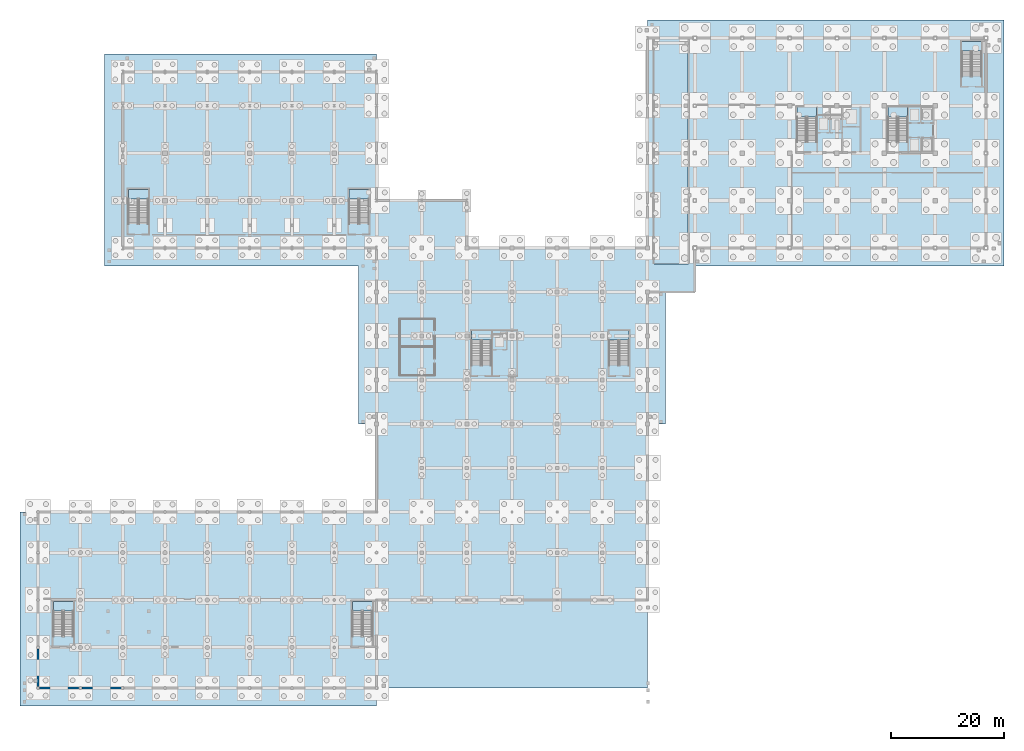
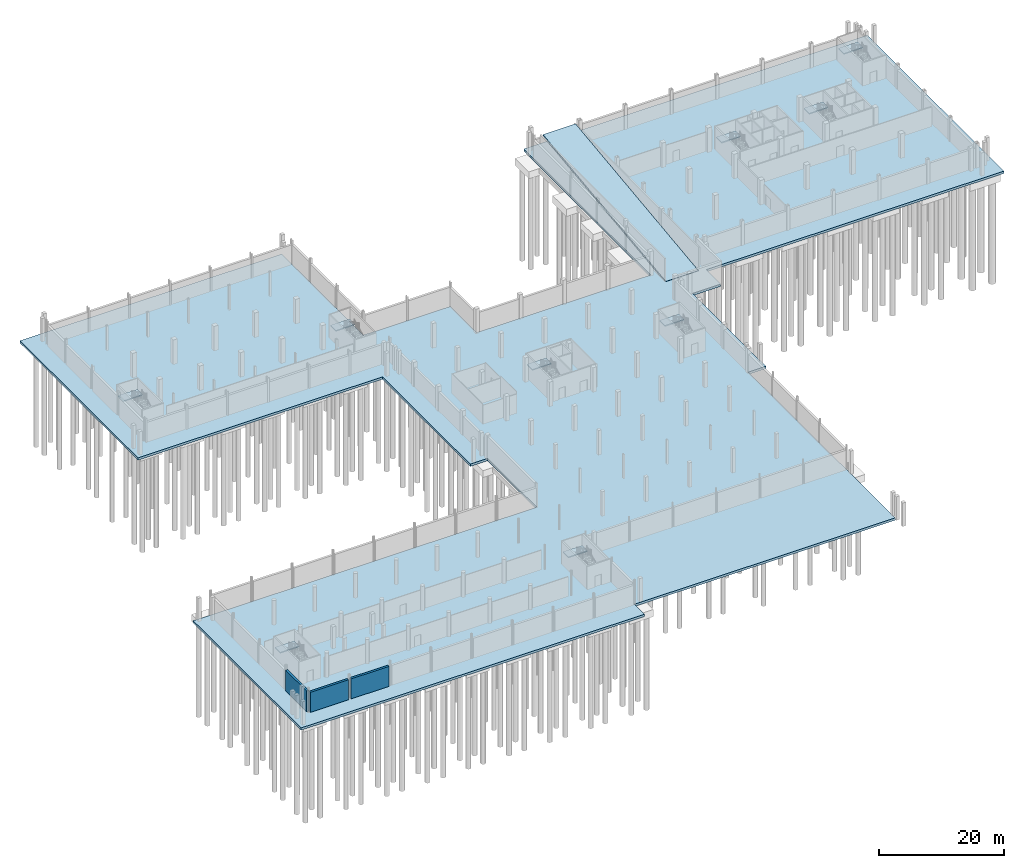
# One storey, part 29 of 44: 11 slabs, 3 walls, 9 elements without a shape of their own.
"""IFC4 building model written with IfcOpenShell, lengths in metres."""

import ifcopenshell
import ifcopenshell.guid

model = None  # the IFC model being written
_history = None  # IfcOwnerHistory: only IFC2X3 demands one
_inside = {}  # id of a spatial element -> (the spatial element, [elements in it])
_under = {}  # id of a project, library or spatial element -> (it, [spatial elements below it])
_declared = {}  # id of a project -> (the project, [libraries it declares])
_typed = {}  # id of a type object -> (the type object, [elements of that type])
_made_of = {}  # id of a material, layer set ... -> (it, [elements and type objects made of it])


def new_model(schema):
    """Start an empty IFC model of exactly this schema.

    Asked for "IFC4X3", IfcOpenShell would pick the latest addendum, in which some entities
    have other attributes; the version numbers below select the first issue.
    IFC2X3 requires an IfcOwnerHistory on every rooted entity: one is made here for all.
    """
    global model, _history
    if schema == "IFC4X3":
        model = ifcopenshell.file(schema_version=(4, 3, 0, 0))
    else:
        model = ifcopenshell.file(schema=schema)
    _inside.clear()
    _under.clear()
    _declared.clear()
    _typed.clear()
    _made_of.clear()
    _history = None
    if model.schema == "IFC2X3":
        org = make("IfcOrganization", Name="unknown")
        user = make(
            "IfcPersonAndOrganization",
            ThePerson=make("IfcPerson", FamilyName="unknown"),
            TheOrganization=org,
        )
        app = make(
            "IfcApplication",
            ApplicationDeveloper=org,
            Version="unknown",
            ApplicationFullName="unknown",
            ApplicationIdentifier="unknown",
        )
        _history = make(
            "IfcOwnerHistory",
            OwningUser=user,
            OwningApplication=app,
            ChangeAction="ADDED",
            CreationDate=0,
        )
    return model


def make(cls, **values):
    """One entity of the class cls with the attributes given. An attribute that is None is left unset."""
    return model.create_entity(
        cls, **{name: value for name, value in values.items() if value is not None}
    )


def rooted(cls, **values):
    """An entity with a GlobalId (a new one), such as an element, a storey or a relation."""
    return make(cls, GlobalId=ifcopenshell.guid.new(), OwnerHistory=_history, **values)


def si_unit(unit_type, name, prefix=None):
    """IfcSIUnit, for example si_unit("LENGTHUNIT", "METRE", prefix="MILLI")."""
    return make("IfcSIUnit", UnitType=unit_type, Prefix=prefix, Name=name)


def assignment(units):
    """IfcUnitAssignment: the units of a project."""
    return None if units is None else make("IfcUnitAssignment", Units=units)


def point(xyz):
    """IfcCartesianPoint."""
    return None if xyz is None else make("IfcCartesianPoint", Coordinates=xyz)


def direction(xyz):
    """IfcDirection."""
    return None if xyz is None else make("IfcDirection", DirectionRatios=xyz)


def frame(location, z_axis=None, x_axis=None):
    """IfcAxis2Placement3D, a coordinate frame: its origin and axes. An axis left out is left unset."""
    return make(
        "IfcAxis2Placement3D",
        Location=point(location),
        Axis=direction(z_axis),
        RefDirection=direction(x_axis),
    )


def frame_2d(location, x_axis=None):
    """IfcAxis2Placement2D, a coordinate frame in the plane: its origin and x axis."""
    return make(
        "IfcAxis2Placement2D", Location=point(location), RefDirection=direction(x_axis)
    )


def origin():
    """The frame at (0, 0, 0) with its axes left unset."""
    return frame((0.0, 0.0, 0.0))


def place(relative_to, where):
    """IfcLocalPlacement: puts the frame where relative to a parent placement (None: the world)."""
    return make(
        "IfcLocalPlacement", PlacementRelTo=relative_to, RelativePlacement=where
    )


def context(
    kind, dimensions, precision=None, world=None, true_north=None, identifier=None
):
    """IfcGeometricRepresentationContext, for example the 3D "Model" context."""
    return make(
        "IfcGeometricRepresentationContext",
        ContextIdentifier=identifier,
        ContextType=kind,
        CoordinateSpaceDimension=dimensions,
        Precision=precision,
        WorldCoordinateSystem=world,
        TrueNorth=true_north,
    )


def subcontext(parent, identifier, kind, view, scale=None):
    """IfcGeometricRepresentationSubContext, for example "Body" below "Model"."""
    return make(
        "IfcGeometricRepresentationSubContext",
        ContextIdentifier=identifier,
        ContextType=kind,
        ParentContext=parent,
        TargetScale=scale,
        TargetView=view,
    )


def project(units=None, contexts=None):
    """IfcProject with its units and contexts."""
    return rooted(
        "IfcProject",
        Name="project",
        RepresentationContexts=contexts,
        UnitsInContext=assignment(units),
    )


def spatial(cls, under=None, at=None, **own):
    """A site, building, storey or space (cls), placed at a placement, below another one or the project."""
    s = rooted(cls, ObjectPlacement=at, **own)
    if under is not None:
        _under.setdefault(under.id(), (under, []))[1].append(s)
    return s


def polyline(points):
    """IfcPolyline through the points."""
    return make("IfcPolyline", Points=[point(p) for p in points])


def profile(cls, at=None, kind="AREA", **sizes):
    """A parametric profile (cls). Its sizes go by their IFC names, for example OverallWidth=200.0."""
    return make(cls, ProfileType=kind, Position=at, **sizes)


def rectangle(**sizes):
    """IfcRectangleProfileDef."""
    return profile("IfcRectangleProfileDef", **sizes)


def outline(outer, holes=None, kind="AREA"):
    """IfcArbitraryClosedProfileDef: a profile drawn as a closed curve; with holes, ...WithVoids."""
    if holes is None:
        return make("IfcArbitraryClosedProfileDef", ProfileType=kind, OuterCurve=outer)
    return make(
        "IfcArbitraryProfileDefWithVoids",
        ProfileType=kind,
        OuterCurve=outer,
        InnerCurves=holes,
    )


def extrude(swept, where, along, depth):
    """IfcExtrudedAreaSolid: the profile swept, set in the frame where, extruded along a direction by depth."""
    return make(
        "IfcExtrudedAreaSolid",
        SweptArea=swept,
        Position=where,
        ExtrudedDirection=direction(along),
        Depth=depth,
    )


def shape(context_of_items, identifier, shape_type, items):
    """IfcShapeRepresentation: the items that make up one representation, for example the "Body"."""
    return make(
        "IfcShapeRepresentation",
        ContextOfItems=context_of_items,
        RepresentationIdentifier=identifier,
        RepresentationType=shape_type,
        Items=items,
    )


def material(Name=None, Category=None):
    """IfcMaterial."""
    return make("IfcMaterial", Name=Name, Category=Category)


def layer(
    of_material, thickness, ventilated=None, Name=None, Category=None, Priority=None
):
    """IfcMaterialLayer: one layer of a wall or slab, of a material (None: an air gap)."""
    return make(
        "IfcMaterialLayer",
        Material=of_material,
        LayerThickness=thickness,
        IsVentilated=ventilated,
        Name=Name,
        Category=Category,
        Priority=Priority,
    )


def layer_set(layers, Name=None):
    """IfcMaterialLayerSet."""
    return make("IfcMaterialLayerSet", MaterialLayers=layers, LayerSetName=Name)


def made_of(thing, what):
    """Note that an element or type object is made of a material, layer set ...; save() writes the relation."""
    if what is not None:
        _made_of.setdefault(what.id(), (what, []))[1].append(thing)
    return thing


def type_object(cls, material=None, **own):
    """A type object (cls), such as IfcWallType, which elements share."""
    return made_of(rooted(cls, **own), material)


def element(
    cls,
    number,
    at=None,
    inside=None,
    cuts=None,
    type_object=None,
    material=None,
    context=None,
    identifier="Body",
    shape_type=None,
    held_by="IfcProductDefinitionShape",
    body=None,
    shapes=None,
    **own,
):
    """One element of the class cls, such as IfcWall. Its Tag is "e" and its number.

    at: its placement. inside: the storey or other place that contains it. cuts: it is an
    opening in that element (IfcRelVoidsElement). A single representation is given by context,
    identifier, shape_type and body (its items); several are given by shapes. held_by: the class
    of the entity that holds the representations. save() writes the other relations.
    """
    e = rooted(cls, Tag="e%d" % number, ObjectPlacement=at, **own)
    if body is not None:
        shapes = [shape(context, identifier, shape_type, body)]
    if shapes is not None:
        e.Representation = make(held_by, Representations=shapes)
    if inside is not None:
        _inside.setdefault(inside.id(), (inside, []))[1].append(e)
    if cuts is not None:
        rooted(
            "IfcRelVoidsElement", RelatingBuildingElement=cuts, RelatedOpeningElement=e
        )
    if type_object is not None:
        _typed.setdefault(type_object.id(), (type_object, []))[1].append(e)
    return made_of(e, material)


def aggregate(whole, parts):
    """IfcRelAggregates: a whole, such as a stair, and the parts it consists of."""
    return rooted("IfcRelAggregates", RelatingObject=whole, RelatedObjects=parts)


def save(model, path):
    """Write the relations noted so far, then the file.

    IfcRelAggregates (storeys below a building ...), IfcRelContainedInSpatialStructure (elements
    in a storey), IfcRelDefinesByType, IfcRelAssociatesMaterial and IfcRelDeclares: one each for
    every whole, place, type object, material and project.
    """
    for whole, parts in _under.values():
        aggregate(whole, parts)
    for where, things in _inside.values():
        rooted(
            "IfcRelContainedInSpatialStructure",
            RelatedElements=things,
            RelatingStructure=where,
        )
    for kind, things in _typed.values():
        rooted("IfcRelDefinesByType", RelatedObjects=things, RelatingType=kind)
    for what, things in _made_of.values():
        rooted("IfcRelAssociatesMaterial", RelatedObjects=things, RelatingMaterial=what)
    for by, libraries in _declared.values():
        rooted("IfcRelDeclares", RelatingContext=by, RelatedDefinitions=libraries)
    model.write(path)


model = new_model("IFC4")

# Units and contexts
model_context = context("Model", 3, precision=1e-05, world=origin(), true_north=direction((0.0, 1.0)))
body_context = subcontext(model_context, "Body", "Model", "MODEL_VIEW")
ifc_project = project(units=[si_unit("LENGTHUNIT", "METRE"), si_unit("AREAUNIT", "SQUARE_METRE"), si_unit("VOLUMEUNIT", "CUBIC_METRE"), si_unit("PLANEANGLEUNIT", "RADIAN"), si_unit("MASSUNIT", "GRAM", prefix="KILO")], contexts=[model_context])

# Site, building, storey
site_placement = place(None, origin())
site = spatial("IfcSite", under=ifc_project, at=site_placement, CompositionType="ELEMENT")
building_placement = place(site_placement, origin())
building = spatial("IfcBuilding", under=site, at=building_placement, Name="Yukiwa Park Conservatory and Herbarium", CompositionType="ELEMENT")
storey_placement = place(building_placement, frame((0.0, 0.0, -4.800048828125)))
storey = spatial("IfcBuildingStorey", under=building, at=storey_placement, Name="B1", CompositionType="ELEMENT", Elevation=-4.800048828125)

# Slab
ifc_material_1 = material(Name="Concrete C40", Category="concrete")
ifc_layer_1 = layer(ifc_material_1, 0.449951171875)
ifc_layer_set_1 = layer_set([ifc_layer_1], Name="Concrete C40")
slab_type_1 = type_object("IfcSlabType", Name="SL-BASE-450", PredefinedType="BASESLAB", material=ifc_layer_set_1)
slab_1_placement = place(storey_placement, frame((0.0, 0.0, -0.449951171875)))
element("IfcSlab", 1, at=slab_1_placement, inside=storey, type_object=slab_type_1, Name="Unified basement waterproofed base slab", PredefinedType="BASESLAB", context=body_context, shape_type="SweptSolid", body=[
    extrude(outline(polyline([(-3.199951171875, 31.199951171875), (60.0, 31.199951171875), (60.0, 46.800048828125), (56.800048828125, 46.800048828125), (56.800048828125, 74.800048828125), (11.800048828125, 74.800048828125), (11.800048828125, 112.39990234375), (60.0, 112.39990234375), (60.0, 86.39990234375), (76.0, 86.39990234375), (76.0, 78.0), (108.0, 78.0), (108.0, 118.39990234375), (116.39990234375, 118.39990234375), (171.199951171875, 118.39990234375), (171.199951171875, 74.800048828125), (116.39990234375, 74.800048828125), (116.39990234375, 70.199951171875), (111.199951171875, 70.199951171875), (111.199951171875, 46.800048828125), (108.0, 46.800048828125), (108.0, 0.0), (60.0, 0.0), (60.0, -3.199951171875), (-3.199951171875, -3.199951171875), (-3.199951171875, 31.199951171875)]), holes=[polyline([(115.25, 77.800048828125), (109.14990234375, 77.800048828125), (109.14990234375, 75.14990234375), (115.25, 75.14990234375), (115.25, 77.800048828125)])]), origin(), (0.0, 0.0, 1.0), 0.449951171875),
])

# Stair, slab
ifc_material_2 = material(Name="Concrete C40", Category="concrete")
stair_type_1 = type_object("IfcStairType", Name="ST-DOGLEG-ST-T1", PredefinedType="HALF_TURN_STAIR", material=ifc_material_2)
stair_1_placement = place(storey_placement, origin())
stair_1 = element("IfcStair", 2, at=stair_1_placement, inside=storey, type_object=stair_type_1, Name="B1 Protected Smoke-Proof Stair ST-T1", PredefinedType="HALF_TURN_STAIR")
ifc_material_3 = material(Name="Concrete C40", Category="concrete")
ifc_layer_2 = layer(ifc_material_3, 0.199951171875)
ifc_layer_set_2 = layer_set([ifc_layer_2], Name="Concrete C40")
slab_type_2 = type_object("IfcSlabType", Name="SL-LANDING-220", PredefinedType="LANDING", material=ifc_layer_set_2)
slab_2_placement = place(storey_placement, frame((0.0, 0.0, 2.199951171875)))
slab_2 = element("IfcSlab", 3, at=slab_2_placement, type_object=slab_type_2, Name="ST-T1 landing 1", PredefinedType="LANDING", context=body_context, shape_type="SweptSolid", body=[
    extrude(outline(polyline([(138.0, 101.22998046875), (138.0, 102.949951171875), (134.489990234375, 102.949951171875), (134.489990234375, 101.22998046875), (138.0, 101.22998046875)])), origin(), (0.0, 0.0, 1.0), 0.2001953125),
])
aggregate(stair_1, [slab_2])

ifc_material_4 = material(Name="Concrete C40", Category="concrete")
stair_type_2 = type_object("IfcStairType", Name="ST-DOGLEG-ST-T2", PredefinedType="HALF_TURN_STAIR", material=ifc_material_4)
stair_2_placement = place(storey_placement, origin())
stair_2 = element("IfcStair", 4, at=stair_2_placement, inside=storey, type_object=stair_type_2, Name="B1 Protected Smoke-Proof Stair ST-T2", PredefinedType="HALF_TURN_STAIR")
slab_3_placement = place(storey_placement, frame((0.0, 0.0, 2.199951171875)))
slab_3 = element("IfcSlab", 5, at=slab_3_placement, type_object=slab_type_2, Name="ST-T2 landing 1", PredefinedType="LANDING", context=body_context, shape_type="SweptSolid", body=[
    extrude(outline(polyline([(154.110107421875, 101.22998046875), (154.110107421875, 102.949951171875), (150.60009765625, 102.949951171875), (150.60009765625, 101.22998046875), (154.110107421875, 101.22998046875)])), origin(), (0.0, 0.0, 1.0), 0.2001953125),
])
aggregate(stair_2, [slab_3])

ifc_material_5 = material(Name="Concrete C40", Category="concrete")
stair_type_3 = type_object("IfcStairType", Name="ST-DOGLEG-ST-T3", PredefinedType="HALF_TURN_STAIR", material=ifc_material_5)
stair_3_placement = place(storey_placement, origin())
stair_3 = element("IfcStair", 6, at=stair_3_placement, inside=storey, type_object=stair_type_3, Name="B1 Protected Smoke-Proof Stair ST-T3", PredefinedType="HALF_TURN_STAIR")
slab_4_placement = place(storey_placement, frame((0.0, 0.0, 2.199951171875)))
slab_4 = element("IfcSlab", 7, at=slab_4_placement, type_object=slab_type_2, Name="ST-T3 landing 1", PredefinedType="LANDING", context=body_context, shape_type="SweptSolid", body=[
    extrude(outline(polyline([(167.199951171875, 112.8798828125), (167.199951171875, 114.60009765625), (163.68994140625, 114.60009765625), (163.68994140625, 112.8798828125), (167.199951171875, 112.8798828125)])), origin(), (0.0, 0.0, 1.0), 0.2001953125),
])
aggregate(stair_3, [slab_4])

ifc_material_6 = material(Name="Concrete C40", Category="concrete")
stair_type_4 = type_object("IfcStairType", Name="ST-DOGLEG-ST-C1", PredefinedType="HALF_TURN_STAIR", material=ifc_material_6)
stair_4_placement = place(storey_placement, origin())
stair_4 = element("IfcStair", 8, at=stair_4_placement, inside=storey, type_object=stair_type_4, Name="B1 Conservatory West Exit Stair ST-C1", PredefinedType="HALF_TURN_STAIR")
slab_5_placement = place(storey_placement, frame((0.0, 0.0, 2.199951171875)))
slab_5 = element("IfcSlab", 9, at=slab_5_placement, type_object=slab_type_2, Name="ST-C1 landing 1", PredefinedType="LANDING", context=body_context, shape_type="SweptSolid", body=[
    extrude(outline(polyline([(6.25, 13.64990234375), (6.25, 15.35009765625), (2.699951171875, 15.35009765625), (2.699951171875, 13.64990234375), (6.25, 13.64990234375)])), origin(), (0.0, 0.0, 1.0), 0.2001953125),
])
aggregate(stair_4, [slab_5])

ifc_material_7 = material(Name="Concrete C40", Category="concrete")
stair_type_5 = type_object("IfcStairType", Name="ST-DOGLEG-ST-C2", PredefinedType="HALF_TURN_STAIR", material=ifc_material_7)
stair_5_placement = place(storey_placement, origin())
stair_5 = element("IfcStair", 10, at=stair_5_placement, inside=storey, type_object=stair_type_5, Name="B1 Conservatory East Exit Stair ST-C2", PredefinedType="HALF_TURN_STAIR")
slab_6_placement = place(storey_placement, frame((0.0, 0.0, 2.199951171875)))
slab_6 = element("IfcSlab", 11, at=slab_6_placement, type_object=slab_type_2, Name="ST-C2 landing 1", PredefinedType="LANDING", context=body_context, shape_type="SweptSolid", body=[
    extrude(outline(polyline([(59.25, 13.64990234375), (59.25, 15.35009765625), (55.699951171875, 15.35009765625), (55.699951171875, 13.64990234375), (59.25, 13.64990234375)])), origin(), (0.0, 0.0, 1.0), 0.2001953125),
])
aggregate(stair_5, [slab_6])

ifc_material_8 = material(Name="Concrete C40", Category="concrete")
stair_type_6 = type_object("IfcStairType", Name="ST-DOGLEG-ST-V1", PredefinedType="HALF_TURN_STAIR", material=ifc_material_8)
stair_6_placement = place(storey_placement, origin())
stair_6 = element("IfcStair", 12, at=stair_6_placement, inside=storey, type_object=stair_type_6, Name="B1 Visitor Core Exit Stair ST-V1", PredefinedType="HALF_TURN_STAIR")
slab_7_placement = place(storey_placement, frame((0.0, 0.0, 2.199951171875)))
slab_7 = element("IfcSlab", 13, at=slab_7_placement, type_object=slab_type_2, Name="ST-V1 landing 1", PredefinedType="LANDING", context=body_context, shape_type="SweptSolid", body=[
    extrude(outline(polyline([(80.35009765625, 61.64990234375), (80.35009765625, 63.35009765625), (76.800048828125, 63.35009765625), (76.800048828125, 61.64990234375), (80.35009765625, 61.64990234375)])), origin(), (0.0, 0.0, 1.0), 0.2001953125),
])
aggregate(stair_6, [slab_7])

ifc_material_9 = material(Name="Concrete C40", Category="concrete")
stair_type_7 = type_object("IfcStairType", Name="ST-DOGLEG-ST-V2", PredefinedType="HALF_TURN_STAIR", material=ifc_material_9)
stair_7_placement = place(storey_placement, origin())
stair_7 = element("IfcStair", 14, at=stair_7_placement, inside=storey, type_object=stair_type_7, Name="B1 Visitor East Exit Stair ST-V2", PredefinedType="HALF_TURN_STAIR")
slab_8_placement = place(storey_placement, frame((0.0, 0.0, 2.199951171875)))
slab_8 = element("IfcSlab", 15, at=slab_8_placement, type_object=slab_type_2, Name="ST-V2 landing 1", PredefinedType="LANDING", context=body_context, shape_type="SweptSolid", body=[
    extrude(outline(polyline([(104.75, 61.64990234375), (104.75, 63.35009765625), (101.199951171875, 63.35009765625), (101.199951171875, 61.64990234375), (104.75, 61.64990234375)])), origin(), (0.0, 0.0, 1.0), 0.2001953125),
])
aggregate(stair_7, [slab_8])

ifc_material_10 = material(Name="Concrete C40", Category="concrete")
stair_type_8 = type_object("IfcStairType", Name="ST-DOGLEG-ST-A1", PredefinedType="HALF_TURN_STAIR", material=ifc_material_10)
stair_8_placement = place(storey_placement, origin())
stair_8 = element("IfcStair", 16, at=stair_8_placement, inside=storey, type_object=stair_type_8, Name="B1 Auditorium West Exit Stair ST-A1", PredefinedType="HALF_TURN_STAIR")
slab_9_placement = place(storey_placement, frame((0.0, 0.0, 2.199951171875)))
slab_9 = element("IfcSlab", 17, at=slab_9_placement, type_object=slab_type_2, Name="ST-A1 landing 1", PredefinedType="LANDING", context=body_context, shape_type="SweptSolid", body=[
    extrude(outline(polyline([(19.550048828125, 86.699951171875), (19.550048828125, 88.39990234375), (16.0, 88.39990234375), (16.0, 86.699951171875), (19.550048828125, 86.699951171875)])), origin(), (0.0, 0.0, 1.0), 0.2001953125),
])
aggregate(stair_8, [slab_9])

ifc_material_11 = material(Name="Concrete C40", Category="concrete")
stair_type_9 = type_object("IfcStairType", Name="ST-DOGLEG-ST-A2", PredefinedType="HALF_TURN_STAIR", material=ifc_material_11)
stair_9_placement = place(storey_placement, origin())
stair_9 = element("IfcStair", 18, at=stair_9_placement, inside=storey, type_object=stair_type_9, Name="B1 Auditorium East Exit Stair ST-A2", PredefinedType="HALF_TURN_STAIR")
slab_10_placement = place(storey_placement, frame((0.0, 0.0, 2.199951171875)))
slab_10 = element("IfcSlab", 19, at=slab_10_placement, type_object=slab_type_2, Name="ST-A2 landing 1", PredefinedType="LANDING", context=body_context, shape_type="SweptSolid", body=[
    extrude(outline(polyline([(58.64990234375, 86.699951171875), (58.64990234375, 88.39990234375), (55.10009765625, 88.39990234375), (55.10009765625, 86.699951171875), (58.64990234375, 86.699951171875)])), origin(), (0.0, 0.0, 1.0), 0.2001953125),
])
aggregate(stair_9, [slab_10])

# Slab
ifc_material_12 = material(Name="Concrete C40", Category="concrete")
ifc_layer_3 = layer(ifc_material_12, 0.300048828125)
ifc_layer_set_3 = layer_set([ifc_layer_3], Name="Concrete C40")
slab_type_3 = type_object("IfcSlabType", Name="SL-RMP-RC300", PredefinedType="FLOOR", material=ifc_layer_set_3)
slab_11_placement = place(storey_placement, frame((109.199951171875, 75.199951171875, 0.0), z_axis=(0.0, -0.121542557728, 0.992586221273), x_axis=(1.0, 0.0, 0.0)))
element("IfcSlab", 20, at=slab_11_placement, inside=storey, type_object=slab_type_3, Name="Basement service vehicle ramp R1 structural slab", PredefinedType="FLOOR", context=body_context, shape_type="SweptSolid", body=[
    extrude(outline(polyline([(0.0, 0.0), (6.0, 0.0), (6.0, 39.49274161956559), (0.0, 39.49274161956559), (0.0, 0.0)])), origin(), (0.0, 0.0, -1.0), 0.300048828125),
])

# Walls
ifc_material_13 = material(Name="Concrete C40", Category="concrete")
ifc_layer_4 = layer(ifc_material_13, 0.39990234375)
ifc_layer_set_4 = layer_set([ifc_layer_4], Name="Concrete C40")
wall_type = type_object("IfcWallType", Name="WL-B1-RET400", PredefinedType="SOLIDWALL", material=ifc_layer_set_4)
for number, where, z_axis, x_axis, name in (
    (21, (0.25390625, 0.0, 0.0), (0.0, 0.0, 1.0), (1.0, 0.0, 0.0), "B1 exterior envelope wall 1"),
    (22, (7.75390625, 0.0, 0.0), (0.0, 0.0, 1.0), (1.0, 0.0, 0.0), "B1 exterior envelope wall 2"),
):
    element("IfcWall", number, at=place(storey_placement, frame(where, z_axis=z_axis, x_axis=x_axis)), inside=storey, type_object=wall_type, Name=name, PredefinedType="SOLIDWALL", context=body_context, shape_type="SweptSolid", body=[
        extrude(rectangle(XDim=6.9921875, YDim=0.39990234375, at=frame_2d((3.49609375, 0.0))), origin(), (0.0, 0.0, 1.0), 3.89013671875),
    ])
wall_placement = place(storey_placement, frame((0.0, 6.946044921875, 0.0), z_axis=(0.0, 0.0, 1.0), x_axis=(0.0, -1.0, 0.0)))
element("IfcWall", 23, at=wall_placement, inside=storey, type_object=wall_type, Name="B1 exterior envelope wall 89", PredefinedType="SOLIDWALL", context=body_context, shape_type="SweptSolid", body=[
    extrude(rectangle(XDim=6.692138671875, YDim=0.39990234375, at=frame_2d((3.34619140625, 0.0))), origin(), (0.0, 0.0, 1.0), 4.0400390625),
])

save(model, "model.ifc")
